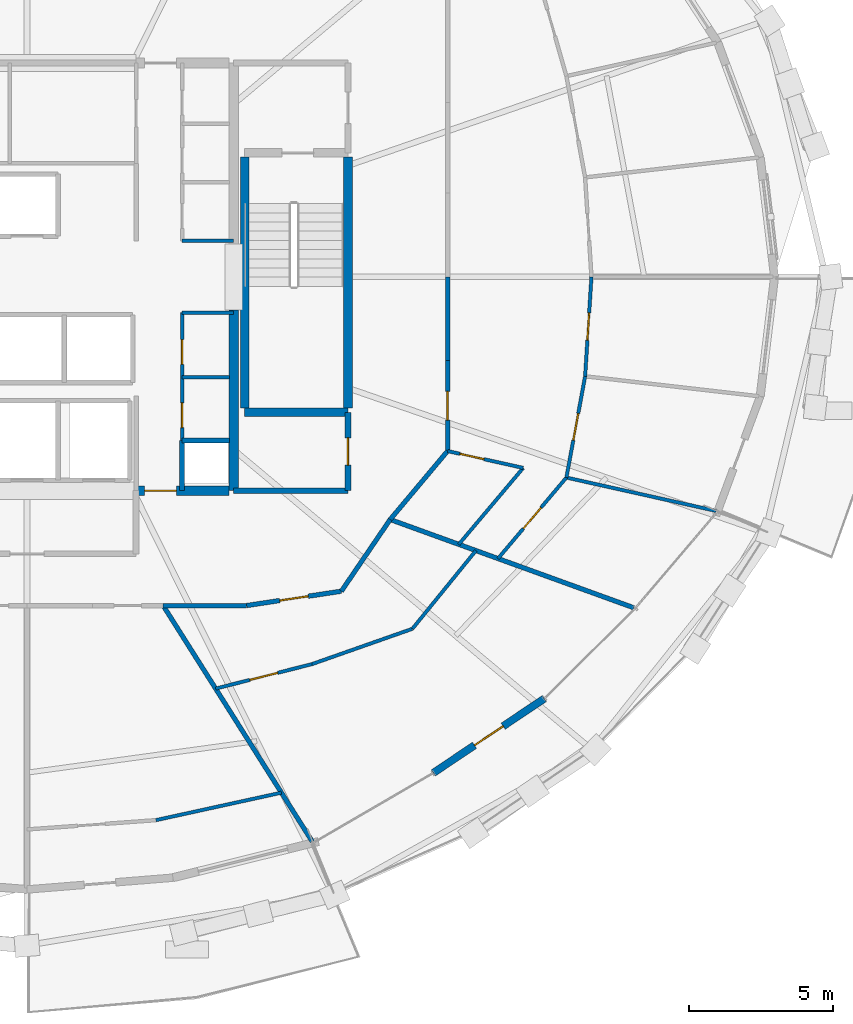
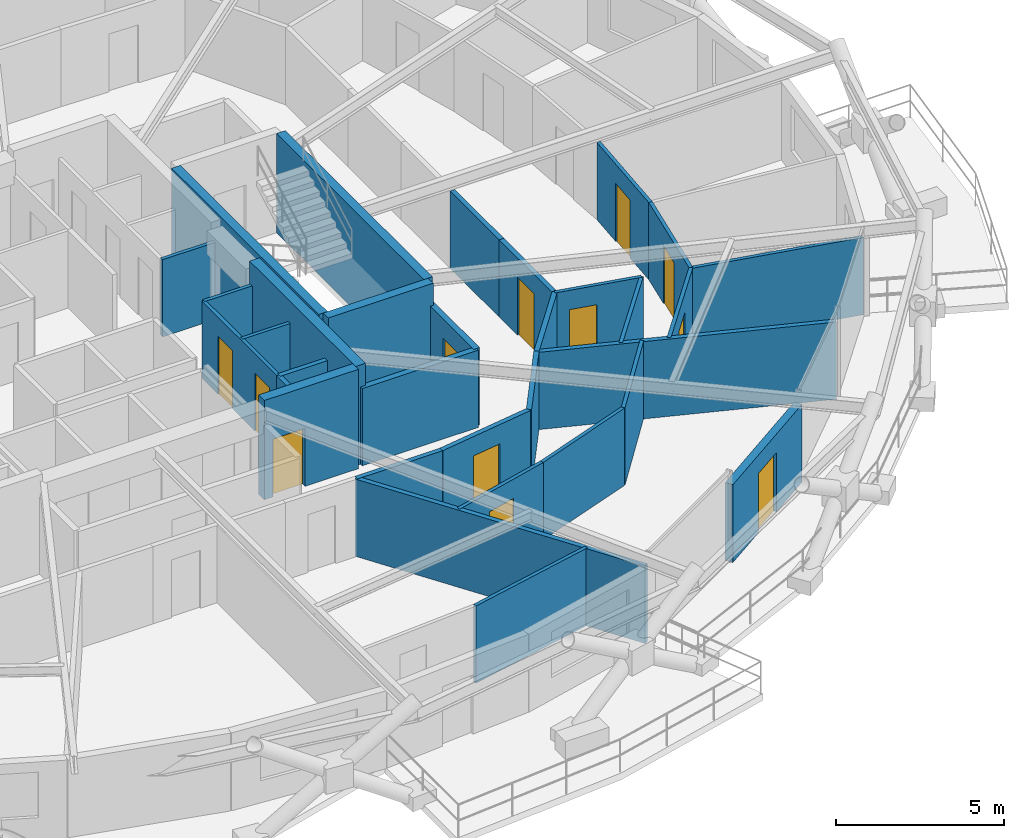
# One storey, part 12 of 16: 32 walls, 12 doors, 12 openings.
"""IFC4 building model written with IfcOpenShell, lengths in metres."""

from ifc_helpers import new_model, si_unit, direction, frame, frame_2d, origin, place, context, subcontext, project, spatial, rectangle, extrude, material, layer, layer_set, type_object, element, fill, save


model = new_model("IFC4")

# Units and contexts
model_context = context("Model", 3, precision=1e-05, world=origin(), true_north=direction((0.0, 1.0)))
body_context = subcontext(model_context, "Body", "Model", "MODEL_VIEW")
ifc_project = project(units=[si_unit("LENGTHUNIT", "METRE"), si_unit("AREAUNIT", "SQUARE_METRE"), si_unit("VOLUMEUNIT", "CUBIC_METRE"), si_unit("PLANEANGLEUNIT", "RADIAN"), si_unit("MASSUNIT", "GRAM", prefix="KILO")], contexts=[model_context])

# Site, building, storey
site_placement = place(None, origin())
site = spatial("IfcSite", under=ifc_project, at=site_placement, CompositionType="ELEMENT")
building_placement = place(site_placement, origin())
building = spatial("IfcBuilding", under=site, at=building_placement, Name="Veldorina Hangang Commons", CompositionType="ELEMENT")
storey_placement = place(building_placement, frame((0.0, 0.0, 174.800048828125)))
storey = spatial("IfcBuildingStorey", under=building, at=storey_placement, Name="L45", CompositionType="ELEMENT", Elevation=174.800048828125)

# Wall
ifc_material_1 = material(Name="Concrete C60/75", Category="concrete")
ifc_layer_1 = layer(ifc_material_1, 0.340087890625)
ifc_layer_set_1 = layer_set([ifc_layer_1], Name="Concrete C60/75")
wall_type_1 = type_object("IfcWallType", Name="CW-RC340-C60", PredefinedType="SHEAR", material=ifc_layer_set_1)
wall_1_placement = place(storey_placement, frame((39.199951171875, 16.550048828125, 0.0), z_axis=(0.0, 0.0, 1.0), x_axis=(0.0, 1.0, 0.0)))
element("IfcWall", 1, at=wall_1_placement, inside=storey, type_object=wall_type_1, Name="L45 E south core shear wall", PredefinedType="SHEAR", context=body_context, shape_type="SweptSolid", body=[
    extrude(rectangle(XDim=6.300048828125, YDim=0.340087890625, at=frame_2d((3.14990234375, 0.0))), origin(), (0.0, 0.0, 1.0), 3.599853515625),
])

# Wall, opening, door
wall_2_placement = place(storey_placement, frame((35.800048828125, 16.550048828125, 0.0), z_axis=(0.0, 0.0, 1.0), x_axis=(1.0, 0.0, 0.0)))
wall_2 = element("IfcWall", 2, at=wall_2_placement, inside=storey, type_object=wall_type_1, Name="L45 south-east core shear wall", PredefinedType="SHEAR", context=body_context, shape_type="SweptSolid", body=[
    extrude(rectangle(XDim=3.22998046875, YDim=0.340087890625, at=frame_2d((1.614990234375, 0.0))), origin(), (0.0, 0.0, 1.0), 3.599853515625),
])
opening_1_placement = place(wall_2_placement, frame((0.300048828125, 0.0, 0.0)))
opening_1 = element("IfcOpeningElement", 3, at=opening_1_placement, cuts=wall_2, Name="Opening D-08", PredefinedType="OPENING", context=body_context, shape_type="SweptSolid", body=[
    extrude(rectangle(XDim=1.10009765625, YDim=2.10009765625, at=frame_2d((0.550048828125, 1.050048828125))), frame((0.0, 0.18017578125, 0.0), z_axis=(0.0, -1.0, 0.0), x_axis=(1.0, 0.0, 0.0)), (0.0, 0.0, 1.0), 0.360107421875),
])
ifc_material_2 = material(Name="Steel Fire-Rated Smoke Seal", Category="steel")
door_type_1 = type_object("IfcDoorType", Name="DR-FIRE-1100", OperationType="SINGLE_SWING_RIGHT", PredefinedType="DOOR", material=ifc_material_2)
door_1_placement = place(opening_1_placement, origin())
door_1 = element("IfcDoor", 4, at=door_1_placement, inside=storey, type_object=door_type_1, Name="L45 central lift lobby south corridor door", OperationType="SINGLE_SWING_RIGHT", OverallHeight=2.10009765625, OverallWidth=1.10009765625, PredefinedType="DOOR", context=body_context, shape_type="SweptSolid", body=[
    extrude(rectangle(XDim=1.10009765625, YDim=2.10009765625, at=frame_2d((0.550048828125, 1.050048828125))), frame((0.0, 0.02490234375, 0.0), z_axis=(0.0, -1.0, 0.0), x_axis=(1.0, 0.0, 0.0)), (0.0, 0.0, 1.0), 0.050048828125),
])
fill(opening_1, door_1)

ifc_material_3 = material(Name="Stone Roman Travertine", Category="masonry")
ifc_layer_2 = layer(ifc_material_3, 0.260009765625)
ifc_layer_set_2 = layer_set([ifc_layer_2], Name="Stone Roman Travertine")
wall_type_2 = type_object("IfcWallType", Name="EW-LOGGIA-260", PredefinedType="STANDARD", material=ifc_layer_set_2)
wall_3_placement = place(storey_placement, frame((46.156005859375, 6.72216796875, 0.0), z_axis=(0.0, 0.0, 1.0), x_axis=(0.831038385186, 0.556215068429, 0.0)))
wall_3 = element("IfcWall", 5, at=wall_3_placement, inside=storey, type_object=wall_type_2, Name="L45 sky-garden loggia portal wall 27", PredefinedType="STANDARD", context=body_context, shape_type="SweptSolid", body=[
    extrude(rectangle(XDim=4.64599609375, YDim=0.260009765625, at=frame_2d((2.322998046875, 0.0))), origin(), (0.0, 0.0, 1.0), 2.820068359375),
])
opening_2_placement = place(wall_3_placement, frame((1.72314453125, 0.0, 0.0)))
opening_2 = element("IfcOpeningElement", 6, at=opening_2_placement, cuts=wall_3, Name="Opening BD-1200", PredefinedType="OPENING", context=body_context, shape_type="SweptSolid", body=[
    extrude(rectangle(XDim=1.199951171875, YDim=2.14990234375, at=frame_2d((0.60009765625, 1.074951171875))), frame((0.0, 0.14013671875, 0.0), z_axis=(0.0, -1.0, 0.0), x_axis=(1.0, 0.0, 0.0)), (0.0, 0.0, 1.0), 0.280029296875),
])
ifc_material_4 = material(Name="Glass Thermal Aluminium Frame", Category="aluminium")
door_type_2 = type_object("IfcDoorType", Name="DR-EXT-LOG1200", OperationType="SINGLE_SWING_LEFT", PredefinedType="DOOR", material=ifc_material_4)
door_2_placement = place(opening_2_placement, origin())
door_2 = element("IfcDoor", 7, at=door_2_placement, inside=storey, type_object=door_type_2, Name="L45 loggia glazed exterior door 27", OperationType="SINGLE_SWING_RIGHT", OverallHeight=2.14990234375, OverallWidth=1.199951171875, PredefinedType="DOOR", context=body_context, shape_type="SweptSolid", body=[
    extrude(rectangle(XDim=1.199951171875, YDim=2.14990234375, at=frame_2d((0.60009765625, 1.074951171875))), frame((0.0, 0.02490234375, 0.0), z_axis=(0.0, -1.0, 0.0), x_axis=(1.0, 0.0, 0.0)), (0.0, 0.0, 1.0), 0.050048828125),
])
fill(opening_2, door_2)

# Walls
ifc_material_5 = material(Name="Concrete C50/60", Category="concrete")
ifc_layer_3 = layer(ifc_material_5, 0.300048828125)
ifc_layer_set_3 = layer_set([ifc_layer_3], Name="Concrete C50/60")
wall_type_3 = type_object("IfcWallType", Name="SW-STAIR-300", PredefinedType="SHEAR", material=ifc_layer_set_3)
for number, where, z_axis, x_axis, name in (
    (8, (43.179931640625, 19.429931640625, 0.0), (0.0, 0.0, 1.0), (0.0, 1.0, 0.0), "L45 ST2 outer stair shear wall"),
    (9, (39.580078125, 19.429931640625, 0.0), (0.0, 0.0, 1.0), (0.0, 1.0, 0.0), "L45 ST2 inner stair shear wall"),
):
    element("IfcWall", number, at=place(storey_placement, frame(where, z_axis=z_axis, x_axis=x_axis)), inside=storey, type_object=wall_type_3, Name=name, PredefinedType="SHEAR", context=body_context, shape_type="SweptSolid", body=[
        extrude(rectangle(XDim=8.739990234375, YDim=0.300048828125, at=frame_2d((4.3701171875, 0.0))), origin(), (0.0, 0.0, 1.0), 3.599853515625),
    ])
wall_4_placement = place(storey_placement, frame((39.580078125, 19.280029296875, 0.0), z_axis=(0.0, 0.0, 1.0), x_axis=(1.0, 0.0, 0.0)))
element("IfcWall", 10, at=wall_4_placement, inside=storey, type_object=wall_type_3, Name="L45 ST2 south stair shear wall", PredefinedType="SHEAR", context=body_context, shape_type="SweptSolid", body=[
    extrude(rectangle(XDim=3.599853515625, YDim=0.300048828125, at=frame_2d((1.7998046875, 0.0))), origin(), (0.0, 0.0, 1.0), 3.599853515625),
])
ifc_material_6 = material(Name="Gypsum Fire-Rated Twin Stud Wall", Category="gypsum")
ifc_layer_4 = layer(ifc_material_6, 0.159912109375)
ifc_layer_set_4 = layer_set([ifc_layer_4], Name="Gypsum Fire-Rated Twin Stud Wall")
wall_type_4 = type_object("IfcWallType", Name="WL-FIRE-160", PredefinedType="SOLIDWALL", material=ifc_layer_set_4)
wall_5_placement = place(storey_placement, frame((37.39990234375, 16.550048828125, 0.0), z_axis=(0.0, 0.0, 1.0), x_axis=(0.0, 1.0, 0.0)))
element("IfcWall", 11, at=wall_5_placement, inside=storey, type_object=wall_type_4, Name="L45 Lift passage SE stub 010", PredefinedType="SOLIDWALL", context=body_context, shape_type="SweptSolid", body=[
    extrude(rectangle(XDim=1.75, YDim=0.159912109375, at=frame_2d((0.875, 0.0))), origin(), (0.0, 0.0, 1.0), 2.800048828125),
])
wall_6_placement = place(storey_placement, frame((37.39990234375, 18.300048828125, 0.0), z_axis=(0.0, 0.0, 1.0), x_axis=(1.0, 0.0, 0.0)))
element("IfcWall", 12, at=wall_6_placement, inside=storey, type_object=wall_type_4, Name="L45 Plumbing riser wall 037", PredefinedType="SOLIDWALL", context=body_context, shape_type="SweptSolid", body=[
    extrude(rectangle(XDim=1.650146484375, YDim=0.159912109375, at=frame_2d((0.8251953125, 0.0))), origin(), (0.0, 0.0, 1.0), 2.800048828125),
])
wall_7_placement = place(storey_placement, frame((36.74267578125, 12.550048828125, 0.0), z_axis=(0.0, 0.0, 1.0), x_axis=(1.0, 0.0, 0.0)))
element("IfcWall", 13, at=wall_7_placement, inside=storey, type_object=wall_type_4, Name="L45 U-corridor outer wall 26 076", PredefinedType="SOLIDWALL", context=body_context, shape_type="SweptSolid", body=[
    extrude(rectangle(XDim=2.907958984375, YDim=0.159912109375, at=frame_2d((1.4541015625, 0.0))), origin(), (0.0, 0.0, 1.0), 2.800048828125),
])

# Wall, opening, door
wall_8_placement = place(storey_placement, frame((39.650634765625, 12.550048828125, 0.0), z_axis=(0.0, 0.0, 1.0), x_axis=(0.988710906508, 0.149835721217, 0.0)))
wall_8 = element("IfcWall", 14, at=wall_8_placement, inside=storey, type_object=wall_type_4, Name="L45 U-corridor outer wall 27 077", PredefinedType="SOLIDWALL", context=body_context, shape_type="SweptSolid", body=[
    extrude(rectangle(XDim=3.3369140625, YDim=0.159912109375, at=frame_2d((1.66845703125, 0.0))), origin(), (0.0, 0.0, 1.0), 2.800048828125),
])
opening_3_placement = place(wall_8_placement, frame((1.16845703125, 0.0, 0.0)))
opening_3 = element("IfcOpeningElement", 15, at=opening_3_placement, cuts=wall_8, Name="Opening D-05", PredefinedType="OPENING", context=body_context, shape_type="SweptSolid", body=[
    extrude(rectangle(XDim=1.0, YDim=2.10009765625, at=frame_2d((0.5, 1.050048828125))), frame((0.0, 0.08984375, 0.0), z_axis=(0.0, -1.0, 0.0), x_axis=(1.0, 0.0, 0.0)), (0.0, 0.0, 1.0), 0.179931640625),
])
ifc_material_7 = material(Name="Timber Solid Core Acoustic", Category="wood")
door_type_3 = type_object("IfcDoorType", Name="DR-INT-1000", OperationType="SINGLE_SWING_RIGHT", PredefinedType="DOOR", material=ifc_material_7)
door_3_placement = place(opening_3_placement, origin())
door_3 = element("IfcDoor", 16, at=door_3_placement, inside=storey, type_object=door_type_3, Name="L45 Commons alcove door 022", OperationType="SINGLE_SWING_RIGHT", OverallHeight=2.10009765625, OverallWidth=1.0, PredefinedType="DOOR", context=body_context, shape_type="SweptSolid", body=[
    extrude(rectangle(XDim=1.0, YDim=2.10009765625, at=frame_2d((0.5, 1.050048828125))), frame((0.0, 0.02490234375, 0.0), z_axis=(0.0, -1.0, 0.0), x_axis=(1.0, 0.0, 0.0)), (0.0, 0.0, 1.0), 0.050048828125),
])
fill(opening_3, door_3)

# Walls
wall_9_placement = place(storey_placement, frame((42.949951171875, 13.050048828125, 0.0), z_axis=(0.0, 0.0, 1.0), x_axis=(0.562674669208, 0.826678423955, 0.0)))
element("IfcWall", 17, at=wall_9_placement, inside=storey, type_object=wall_type_4, Name="L45 U-corridor outer wall 28 078", PredefinedType="SOLIDWALL", context=body_context, shape_type="SweptSolid", body=[
    extrude(rectangle(XDim=3.021240234375, YDim=0.159912109375, at=frame_2d((1.5107421875, 0.0))), origin(), (0.0, 0.0, 1.0), 2.800048828125),
])
wall_10_placement = place(storey_placement, frame((44.64990234375, 15.547607421875, 0.0), z_axis=(0.0, 0.0, 1.0), x_axis=(0.642665742791, 0.76614668507, 0.0)))
element("IfcWall", 18, at=wall_10_placement, inside=storey, type_object=wall_type_4, Name="L45 U-corridor outer wall 29 079", PredefinedType="SOLIDWALL", context=body_context, shape_type="SweptSolid", body=[
    extrude(rectangle(XDim=3.112060546875, YDim=0.159912109375, at=frame_2d((1.55615234375, 0.0))), origin(), (0.0, 0.0, 1.0), 2.800048828125),
])

# Wall, opening, door
wall_11_placement = place(storey_placement, frame((46.64990234375, 17.931884765625, 0.0), z_axis=(0.0, 0.0, 1.0), x_axis=(0.0, 1.0, 0.0)))
wall_11 = element("IfcWall", 19, at=wall_11_placement, inside=storey, type_object=wall_type_4, Name="L45 U-corridor outer wall 30 080", PredefinedType="SOLIDWALL", context=body_context, shape_type="SweptSolid", body=[
    extrude(rectangle(XDim=3.154052734375, YDim=0.159912109375, at=frame_2d((1.5771484375, 0.0))), origin(), (0.0, 0.0, 1.0), 2.800048828125),
])
opening_4_placement = place(wall_11_placement, frame((1.0771484375, 0.0, 0.0)))
opening_4 = element("IfcOpeningElement", 20, at=opening_4_placement, cuts=wall_11, Name="Opening D-06", PredefinedType="OPENING", context=body_context, shape_type="SweptSolid", body=[
    extrude(rectangle(XDim=1.0, YDim=2.10009765625, at=frame_2d((0.5, 1.050048828125))), frame((0.0, 0.08984375, 0.0), z_axis=(0.0, -1.0, 0.0), x_axis=(1.0, 0.0, 0.0)), (0.0, 0.0, 1.0), 0.179931640625),
])
ifc_material_8 = material(Name="Timber Fire-Rated Entrance Core", Category="wood")
door_type_4 = type_object("IfcDoorType", Name="DR-UNIT-1000", OperationType="SINGLE_SWING_LEFT", PredefinedType="DOOR", material=ifc_material_8)
door_4_placement = place(opening_4_placement, origin())
door_4 = element("IfcDoor", 21, at=door_4_placement, inside=storey, type_object=door_type_4, Name="L45 Cluster 2 entrance door 025", OperationType="SINGLE_SWING_LEFT", OverallHeight=2.10009765625, OverallWidth=1.0, PredefinedType="DOOR", context=body_context, shape_type="SweptSolid", body=[
    extrude(rectangle(XDim=1.0, YDim=2.10009765625, at=frame_2d((0.5, 1.050048828125))), frame((0.0, 0.02490234375, 0.0), z_axis=(0.0, -1.0, 0.0), x_axis=(1.0, 0.0, 0.0)), (0.0, 0.0, 1.0), 0.050048828125),
])
fill(opening_4, door_4)

# Walls
wall_12_placement = place(storey_placement, frame((46.64990234375, 21.0859375, 0.0), z_axis=(0.0, 0.0, 1.0), x_axis=(0.0, 1.0, 0.0)))
element("IfcWall", 22, at=wall_12_placement, inside=storey, type_object=wall_type_4, Name="L45 U-corridor outer wall 31 081", PredefinedType="SOLIDWALL", context=body_context, shape_type="SweptSolid", body=[
    extrude(rectangle(XDim=2.9140625, YDim=0.159912109375, at=frame_2d((1.45703125, 0.0))), origin(), (0.0, 0.0, 1.0), 2.800048828125),
])
wall_13_placement = place(storey_placement, frame((36.74267578125, 12.550048828125, 0.0), z_axis=(0.0, 0.0, 1.0), x_axis=(0.534145959156, -0.845392272449, 0.0)))
element("IfcWall", 23, at=wall_13_placement, inside=storey, type_object=wall_type_4, Name="L45 Unit party wall 26 082", PredefinedType="SOLIDWALL", context=body_context, shape_type="SweptSolid", body=[
    extrude(rectangle(XDim=9.727294921875, YDim=0.159912109375, at=frame_2d((4.86376953125, 0.0))), origin(), (0.0, 0.0, 1.0), 2.800048828125),
])
wall_14_placement = place(storey_placement, frame((44.64990234375, 15.547607421875, 0.0), z_axis=(0.0, 0.0, 1.0), x_axis=(0.940209575336, -0.340596468636, 0.0)))
element("IfcWall", 24, at=wall_14_placement, inside=storey, type_object=wall_type_4, Name="L45 Unit party wall 29 086", PredefinedType="SOLIDWALL", context=body_context, shape_type="SweptSolid", body=[
    extrude(rectangle(XDim=9.02880859375, YDim=0.159912109375, at=frame_2d((4.514404296875, 0.0))), origin(), (0.0, 0.0, 1.0), 2.800048828125),
])

# Wall, opening, door
ifc_material_9 = material(Name="Concrete Blockwork Fire Wall C30/37", Category="masonry")
ifc_layer_5 = layer(ifc_material_9, 0.199951171875)
ifc_layer_set_5 = layer_set([ifc_layer_5], Name="Concrete Blockwork Fire Wall C30/37")
wall_type_5 = type_object("IfcWallType", Name="WL-FIRE-200", PredefinedType="SOLIDWALL", material=ifc_layer_set_5)
wall_15_placement = place(storey_placement, frame((43.179931640625, 16.550048828125, 0.0), z_axis=(0.0, 0.0, 1.0), x_axis=(0.0, 1.0, 0.0)))
wall_15 = element("IfcWall", 25, at=wall_15_placement, inside=storey, type_object=wall_type_5, Name="L45 SE core room outer wall 007", PredefinedType="SOLIDWALL", context=body_context, shape_type="SweptSolid", body=[
    extrude(rectangle(XDim=2.72998046875, YDim=0.199951171875, at=frame_2d((1.364990234375, 0.0))), origin(), (0.0, 0.0, 1.0), 2.800048828125),
])
opening_5_placement = place(wall_15_placement, frame((0.889892578125, 0.0, 0.0)))
opening_5 = element("IfcOpeningElement", 26, at=opening_5_placement, cuts=wall_15, Name="Opening D-02", PredefinedType="OPENING", context=body_context, shape_type="SweptSolid", body=[
    extrude(rectangle(XDim=0.949951171875, YDim=2.10009765625, at=frame_2d((0.47509765625, 1.050048828125))), frame((0.0, 0.10986328125, 0.0), z_axis=(0.0, -1.0, 0.0), x_axis=(1.0, 0.0, 0.0)), (0.0, 0.0, 1.0), 0.219970703125),
])
door_type_5 = type_object("IfcDoorType", Name="DR-INT-950", OperationType="SINGLE_SWING_LEFT", PredefinedType="DOOR", material=ifc_material_7)
door_5_placement = place(opening_5_placement, origin())
door_5 = element("IfcDoor", 27, at=door_5_placement, inside=storey, type_object=door_type_5, Name="L45 SE core WC door 004", OperationType="SINGLE_SWING_RIGHT", OverallHeight=2.10009765625, OverallWidth=0.949951171875, PredefinedType="DOOR", context=body_context, shape_type="SweptSolid", body=[
    extrude(rectangle(XDim=0.949951171875, YDim=2.10009765625, at=frame_2d((0.47509765625, 1.050048828125))), frame((0.0, 0.02490234375, 0.0), z_axis=(0.0, -1.0, 0.0), x_axis=(1.0, 0.0, 0.0)), (0.0, 0.0, 1.0), 0.050048828125),
])
fill(opening_5, door_5)

# Walls
wall_16_placement = place(storey_placement, frame((39.199951171875, 16.550048828125, 0.0), z_axis=(0.0, 0.0, 1.0), x_axis=(1.0, 0.0, 0.0)))
element("IfcWall", 28, at=wall_16_placement, inside=storey, type_object=wall_type_5, Name="L45 SE core room south wall 008", PredefinedType="SOLIDWALL", context=body_context, shape_type="SweptSolid", body=[
    extrude(rectangle(XDim=3.97998046875, YDim=0.199951171875, at=frame_2d((1.989990234375, 0.0))), origin(), (0.0, 0.0, 1.0), 2.800048828125),
])
ifc_material_10 = material(Name="Gypsum Acoustic Stud Partition", Category="gypsum")
ifc_layer_6 = layer(ifc_material_10, 0.1201171875)
ifc_layer_set_6 = layer_set([ifc_layer_6], Name="Gypsum Acoustic Stud Partition")
wall_type_6 = type_object("IfcWallType", Name="WL-PART-120", PredefinedType="PARTITIONING", material=ifc_layer_set_6)
wall_17_placement = place(storey_placement, frame((37.39990234375, 25.25, 0.0), z_axis=(0.0, 0.0, 1.0), x_axis=(1.0, 0.0, 0.0)))
element("IfcWall", 29, at=wall_17_placement, inside=storey, type_object=wall_type_6, Name="L45 NE strip south return wall 042", PredefinedType="PARTITIONING", context=body_context, shape_type="SweptSolid", body=[
    extrude(rectangle(XDim=1.800048828125, YDim=0.1201171875, at=frame_2d((0.89990234375, 0.0))), origin(), (0.0, 0.0, 1.0), 2.800048828125),
])

# Wall, openings, doors
wall_18_placement = place(storey_placement, frame((37.39990234375, 18.300048828125, 0.0), z_axis=(0.0, 0.0, 1.0), x_axis=(0.0, 1.0, 0.0)))
wall_18 = element("IfcWall", 30, at=wall_18_placement, inside=storey, type_object=wall_type_6, Name="L45 SE strip lobby wall 043", PredefinedType="PARTITIONING", context=body_context, shape_type="SweptSolid", body=[
    extrude(rectangle(XDim=4.449951171875, YDim=0.1201171875, at=frame_2d((2.22509765625, 0.0))), origin(), (0.0, 0.0, 1.0), 2.800048828125),
])
opening_6_placement = place(wall_18_placement, frame((0.449951171875, 0.0, 0.0)))
opening_6 = element("IfcOpeningElement", 31, at=opening_6_placement, cuts=wall_18, Name="Opening D-01", PredefinedType="OPENING", context=body_context, shape_type="SweptSolid", body=[
    extrude(rectangle(XDim=0.860107421875, YDim=2.10009765625, at=frame_2d((0.43017578125, 1.050048828125))), frame((0.0, 0.070068359375, 0.0), z_axis=(0.0, -1.0, 0.0), x_axis=(1.0, 0.0, 0.0)), (0.0, 0.0, 1.0), 0.14013671875),
])
opening_7_placement = place(wall_18_placement, frame((2.64990234375, 0.0, 0.0)))
opening_7 = element("IfcOpeningElement", 32, at=opening_7_placement, cuts=wall_18, Name="Opening D-01", PredefinedType="OPENING", context=body_context, shape_type="SweptSolid", body=[
    extrude(rectangle(XDim=0.860107421875, YDim=2.10009765625, at=frame_2d((0.43017578125, 1.050048828125))), frame((0.0, 0.070068359375, 0.0), z_axis=(0.0, -1.0, 0.0), x_axis=(1.0, 0.0, 0.0)), (0.0, 0.0, 1.0), 0.14013671875),
])
ifc_material_11 = material(Name="Timber Moisture-Resistant Core", Category="wood")
door_type_6 = type_object("IfcDoorType", Name="DR-WET-860", OperationType="SINGLE_SWING_LEFT", PredefinedType="DOOR", material=ifc_material_11)
door_6_placement = place(opening_6_placement, origin())
door_6 = element("IfcDoor", 33, at=door_6_placement, inside=storey, type_object=door_type_6, Name="L45 Janitor sink door 020", OperationType="SINGLE_SWING_RIGHT", OverallHeight=2.10009765625, OverallWidth=0.860107421875, PredefinedType="DOOR", context=body_context, shape_type="SweptSolid", body=[
    extrude(rectangle(XDim=0.860107421875, YDim=2.10009765625, at=frame_2d((0.43017578125, 1.050048828125))), frame((0.0, 0.02490234375, 0.0), z_axis=(0.0, -1.0, 0.0), x_axis=(1.0, 0.0, 0.0)), (0.0, 0.0, 1.0), 0.050048828125),
])
fill(opening_6, door_6)
door_7_placement = place(opening_7_placement, origin())
door_7 = element("IfcDoor", 34, at=door_7_placement, inside=storey, type_object=door_type_6, Name="L45 Fire panel door 021", OperationType="SINGLE_SWING_LEFT", OverallHeight=2.10009765625, OverallWidth=0.860107421875, PredefinedType="DOOR", context=body_context, shape_type="SweptSolid", body=[
    extrude(rectangle(XDim=0.860107421875, YDim=2.10009765625, at=frame_2d((0.43017578125, 1.050048828125))), frame((0.0, 0.02490234375, 0.0), z_axis=(0.0, -1.0, 0.0), x_axis=(1.0, 0.0, 0.0)), (0.0, 0.0, 1.0), 0.050048828125),
])
fill(opening_7, door_7)

# Walls
wall_19_placement = place(storey_placement, frame((37.39990234375, 22.75, 0.0), z_axis=(0.0, 0.0, 1.0), x_axis=(1.0, 0.0, 0.0)))
element("IfcWall", 35, at=wall_19_placement, inside=storey, type_object=wall_type_6, Name="L45 SE strip north return wall 044", PredefinedType="PARTITIONING", context=body_context, shape_type="SweptSolid", body=[
    extrude(rectangle(XDim=1.800048828125, YDim=0.1201171875, at=frame_2d((0.89990234375, 0.0))), origin(), (0.0, 0.0, 1.0), 2.800048828125),
])
wall_20_placement = place(storey_placement, frame((37.39990234375, 20.5, 0.0), z_axis=(0.0, 0.0, 1.0), x_axis=(1.0, 0.0, 0.0)))
element("IfcWall", 36, at=wall_20_placement, inside=storey, type_object=wall_type_6, Name="L45 SE horizontal split 049", PredefinedType="PARTITIONING", context=body_context, shape_type="SweptSolid", body=[
    extrude(rectangle(XDim=1.650146484375, YDim=0.1201171875, at=frame_2d((0.8251953125, 0.0))), origin(), (0.0, 0.0, 1.0), 2.800048828125),
])

# Wall, opening, door
wall_21_placement = place(storey_placement, frame((38.570556640625, 9.656982421875, 0.0), z_axis=(0.0, 0.0, 1.0), x_axis=(0.969181367877, 0.246348282235, 0.0)))
wall_21 = element("IfcWall", 37, at=wall_21_placement, inside=storey, type_object=wall_type_6, Name="L45 Lounge alcove split 0 083", PredefinedType="PARTITIONING", context=body_context, shape_type="SweptSolid", body=[
    extrude(rectangle(XDim=3.463623046875, YDim=0.1201171875, at=frame_2d((1.73193359375, 0.0))), origin(), (0.0, 0.0, 1.0), 2.800048828125),
])
opening_8_placement = place(wall_21_placement, frame((1.231689453125, 0.0, 0.0)))
opening_8 = element("IfcOpeningElement", 38, at=opening_8_placement, cuts=wall_21, Name="Opening D-05", PredefinedType="OPENING", context=body_context, shape_type="SweptSolid", body=[
    extrude(rectangle(XDim=1.0, YDim=2.10009765625, at=frame_2d((0.5, 1.050048828125))), frame((0.0, 0.070068359375, 0.0), z_axis=(0.0, -1.0, 0.0), x_axis=(1.0, 0.0, 0.0)), (0.0, 0.0, 1.0), 0.14013671875),
])
door_8_placement = place(opening_8_placement, origin())
door_8 = element("IfcDoor", 39, at=door_8_placement, inside=storey, type_object=door_type_3, Name="L45 Commons lounge door 023", OperationType="SINGLE_SWING_LEFT", OverallHeight=2.10009765625, OverallWidth=1.0, PredefinedType="DOOR", context=body_context, shape_type="SweptSolid", body=[
    extrude(rectangle(XDim=1.0, YDim=2.10009765625, at=frame_2d((0.5, 1.050048828125))), frame((0.0, 0.02490234375, 0.0), z_axis=(0.0, -1.0, 0.0), x_axis=(1.0, 0.0, 0.0)), (0.0, 0.0, 1.0), 0.050048828125),
])
fill(opening_8, door_8)

# Walls
wall_22_placement = place(storey_placement, frame((41.927490234375, 10.51025390625, 0.0), z_axis=(0.0, 0.0, 1.0), x_axis=(0.943364325331, 0.331758571394, 0.0)))
element("IfcWall", 40, at=wall_22_placement, inside=storey, type_object=wall_type_6, Name="L45 Lounge alcove split 1 084", PredefinedType="PARTITIONING", context=body_context, shape_type="SweptSolid", body=[
    extrude(rectangle(XDim=3.7060546875, YDim=0.1201171875, at=frame_2d((1.85302734375, 0.0))), origin(), (0.0, 0.0, 1.0), 2.800048828125),
])
wall_23_placement = place(storey_placement, frame((45.423583984375, 11.73974609375, 0.0), z_axis=(0.0, 0.0, 1.0), x_axis=(0.630511474319, 0.776179928079, 0.0)))
element("IfcWall", 41, at=wall_23_placement, inside=storey, type_object=wall_type_6, Name="L45 Lounge alcove split 2 085", PredefinedType="PARTITIONING", context=body_context, shape_type="SweptSolid", body=[
    extrude(rectangle(XDim=3.51123046875, YDim=0.1201171875, at=frame_2d((1.755615234375, 0.0))), origin(), (0.0, 0.0, 1.0), 2.800048828125),
])
wall_24_placement = place(storey_placement, frame((47.0400390625, 14.681640625, 0.0), z_axis=(0.0, 0.0, 1.0), x_axis=(0.644463857784, 0.764634772954, 0.0)))
element("IfcWall", 42, at=wall_24_placement, inside=storey, type_object=wall_type_6, Name="L45 Cluster 2 bath front wall 087", PredefinedType="PARTITIONING", context=body_context, shape_type="SweptSolid", body=[
    extrude(rectangle(XDim=3.482177734375, YDim=0.1201171875, at=frame_2d((1.7412109375, 0.0))), origin(), (0.0, 0.0, 1.0), 2.800048828125),
])

# Wall, opening, door
wall_25_placement = place(storey_placement, frame((46.64990234375, 17.931884765625, 0.0), z_axis=(0.0, 0.0, 1.0), x_axis=(0.976010083103, -0.217725326231, 0.0)))
wall_25 = element("IfcWall", 43, at=wall_25_placement, inside=storey, type_object=wall_type_6, Name="L45 Cluster 2 bath side wall 088", PredefinedType="PARTITIONING", context=body_context, shape_type="SweptSolid", body=[
    extrude(rectangle(XDim=2.698974609375, YDim=0.1201171875, at=frame_2d((1.349609375, 0.0))), origin(), (0.0, 0.0, 1.0), 2.800048828125),
])
opening_9_placement = place(wall_25_placement, frame((0.43994140625, 0.0, 0.0)))
opening_9 = element("IfcOpeningElement", 44, at=opening_9_placement, cuts=wall_25, Name="Opening D-01", PredefinedType="OPENING", context=body_context, shape_type="SweptSolid", body=[
    extrude(rectangle(XDim=0.860107421875, YDim=2.10009765625, at=frame_2d((0.43017578125, 1.050048828125))), frame((0.0, 0.070068359375, 0.0), z_axis=(0.0, -1.0, 0.0), x_axis=(1.0, 0.0, 0.0)), (0.0, 0.0, 1.0), 0.14013671875),
])
door_9_placement = place(opening_9_placement, origin())
door_9 = element("IfcDoor", 45, at=door_9_placement, inside=storey, type_object=door_type_6, Name="L45 Cluster 2 shared bathroom door 024", OperationType="SINGLE_SWING_RIGHT", OverallHeight=2.10009765625, OverallWidth=0.860107421875, PredefinedType="DOOR", context=body_context, shape_type="SweptSolid", body=[
    extrude(rectangle(XDim=0.860107421875, YDim=2.10009765625, at=frame_2d((0.43017578125, 1.050048828125))), frame((0.0, 0.02490234375, 0.0), z_axis=(0.0, -1.0, 0.0), x_axis=(1.0, 0.0, 0.0)), (0.0, 0.0, 1.0), 0.050048828125),
])
fill(opening_9, door_9)

wall_26_placement = place(storey_placement, frame((48.40576171875, 14.18701171875, 0.0), z_axis=(0.0, 0.0, 1.0), x_axis=(0.645325713634, 0.763907535846, 0.0)))
wall_26 = element("IfcWall", 46, at=wall_26_placement, inside=storey, type_object=wall_type_6, Name="L45 Cluster 2 bed 1 front wall 089", PredefinedType="PARTITIONING", context=body_context, shape_type="SweptSolid", body=[
    extrude(rectangle(XDim=3.693603515625, YDim=0.1201171875, at=frame_2d((1.8466796875, 0.0))), origin(), (0.0, 0.0, 1.0), 2.800048828125),
])
opening_10_placement = place(wall_26_placement, frame((1.371826171875, 0.0, 0.0)))
opening_10 = element("IfcOpeningElement", 47, at=opening_10_placement, cuts=wall_26, Name="Opening D-02", PredefinedType="OPENING", context=body_context, shape_type="SweptSolid", body=[
    extrude(rectangle(XDim=0.949951171875, YDim=2.10009765625, at=frame_2d((0.47509765625, 1.050048828125))), frame((0.0, 0.070068359375, 0.0), z_axis=(0.0, -1.0, 0.0), x_axis=(1.0, 0.0, 0.0)), (0.0, 0.0, 1.0), 0.14013671875),
])
door_10_placement = place(opening_10_placement, origin())
door_10 = element("IfcDoor", 48, at=door_10_placement, inside=storey, type_object=door_type_5, Name="L45 Cluster 2 bed 1 door 026", OperationType="SINGLE_SWING_RIGHT", OverallHeight=2.10009765625, OverallWidth=0.949951171875, PredefinedType="DOOR", context=body_context, shape_type="SweptSolid", body=[
    extrude(rectangle(XDim=0.949951171875, YDim=2.10009765625, at=frame_2d((0.47509765625, 1.050048828125))), frame((0.0, 0.02490234375, 0.0), z_axis=(0.0, -1.0, 0.0), x_axis=(1.0, 0.0, 0.0)), (0.0, 0.0, 1.0), 0.050048828125),
])
fill(opening_10, door_10)

wall_27_placement = place(storey_placement, frame((50.789306640625, 17.008544921875, 0.0), z_axis=(0.0, 0.0, 1.0), x_axis=(0.18176514898, 0.983341970332, 0.0)))
wall_27 = element("IfcWall", 49, at=wall_27_placement, inside=storey, type_object=wall_type_6, Name="L45 Cluster 2 bed 2 front wall 090", PredefinedType="PARTITIONING", context=body_context, shape_type="SweptSolid", body=[
    extrude(rectangle(XDim=3.587646484375, YDim=0.1201171875, at=frame_2d((1.7939453125, 0.0))), origin(), (0.0, 0.0, 1.0), 2.800048828125),
])
opening_11_placement = place(wall_27_placement, frame((1.31884765625, 0.0, 0.0)))
opening_11 = element("IfcOpeningElement", 50, at=opening_11_placement, cuts=wall_27, Name="Opening D-02", PredefinedType="OPENING", context=body_context, shape_type="SweptSolid", body=[
    extrude(rectangle(XDim=0.949951171875, YDim=2.10009765625, at=frame_2d((0.47509765625, 1.050048828125))), frame((0.0, 0.070068359375, 0.0), z_axis=(0.0, -1.0, 0.0), x_axis=(1.0, 0.0, 0.0)), (0.0, 0.0, 1.0), 0.14013671875),
])
door_11_placement = place(opening_11_placement, origin())
door_11 = element("IfcDoor", 51, at=door_11_placement, inside=storey, type_object=door_type_5, Name="L45 Cluster 2 bed 2 door 027", OperationType="SINGLE_SWING_LEFT", OverallHeight=2.10009765625, OverallWidth=0.949951171875, PredefinedType="DOOR", context=body_context, shape_type="SweptSolid", body=[
    extrude(rectangle(XDim=0.949951171875, YDim=2.10009765625, at=frame_2d((0.47509765625, 1.050048828125))), frame((0.0, 0.02490234375, 0.0), z_axis=(0.0, -1.0, 0.0), x_axis=(1.0, 0.0, 0.0)), (0.0, 0.0, 1.0), 0.050048828125),
])
fill(opening_11, door_11)

# Wall
wall_28_placement = place(storey_placement, frame((50.789306640625, 17.008544921875, 0.0), z_axis=(0.0, 0.0, 1.0), x_axis=(0.976023513378, -0.217665112806, 0.0)))
element("IfcWall", 52, at=wall_28_placement, inside=storey, type_object=wall_type_6, Name="L45 Cluster 2 bed divider 1 091", PredefinedType="PARTITIONING", context=body_context, shape_type="SweptSolid", body=[
    extrude(rectangle(XDim=5.347900390625, YDim=0.1201171875, at=frame_2d((2.673828125, 0.0))), origin(), (0.0, 0.0, 1.0), 2.800048828125),
])

# Wall, opening, door
wall_29_placement = place(storey_placement, frame((51.44140625, 20.536376953125, 0.0), z_axis=(0.0, 0.0, 1.0), x_axis=(0.063451217103, 0.997984941293, 0.0)))
wall_29 = element("IfcWall", 53, at=wall_29_placement, inside=storey, type_object=wall_type_6, Name="L45 Cluster 2 bed 3 front wall 092", PredefinedType="PARTITIONING", context=body_context, shape_type="SweptSolid", body=[
    extrude(rectangle(XDim=3.470703125, YDim=0.1201171875, at=frame_2d((1.7353515625, 0.0))), origin(), (0.0, 0.0, 1.0), 2.800048828125),
])
opening_12_placement = place(wall_29_placement, frame((1.26025390625, 0.0, 0.0)))
opening_12 = element("IfcOpeningElement", 54, at=opening_12_placement, cuts=wall_29, Name="Opening D-02", PredefinedType="OPENING", context=body_context, shape_type="SweptSolid", body=[
    extrude(rectangle(XDim=0.949951171875, YDim=2.10009765625, at=frame_2d((0.47509765625, 1.050048828125))), frame((0.0, 0.070068359375, 0.0), z_axis=(0.0, -1.0, 0.0), x_axis=(1.0, 0.0, 0.0)), (0.0, 0.0, 1.0), 0.14013671875),
])
door_12_placement = place(opening_12_placement, origin())
door_12 = element("IfcDoor", 55, at=door_12_placement, inside=storey, type_object=door_type_5, Name="L45 Cluster 2 bed 3 door 028", OperationType="SINGLE_SWING_RIGHT", OverallHeight=2.10009765625, OverallWidth=0.949951171875, PredefinedType="DOOR", context=body_context, shape_type="SweptSolid", body=[
    extrude(rectangle(XDim=0.949951171875, YDim=2.10009765625, at=frame_2d((0.47509765625, 1.050048828125))), frame((0.0, 0.02490234375, 0.0), z_axis=(0.0, -1.0, 0.0), x_axis=(1.0, 0.0, 0.0)), (0.0, 0.0, 1.0), 0.050048828125),
])
fill(opening_12, door_12)

# Wall
wall_30_placement = place(storey_placement, frame((36.48779296875, 5.073974609375, 0.0), z_axis=(0.0, 0.0, 1.0), x_axis=(0.976859798757, 0.213880652639, 0.0)))
element("IfcWall", 56, at=wall_30_placement, inside=storey, type_object=wall_type_6, Name="L45 Laundry split 1 128", PredefinedType="PARTITIONING", context=body_context, shape_type="SweptSolid", body=[
    extrude(rectangle(XDim=4.476806640625, YDim=0.1201171875, at=frame_2d((2.23828125, 0.0))), origin(), (0.0, 0.0, 1.0), 2.800048828125),
])

save(model, "model.ifc")
